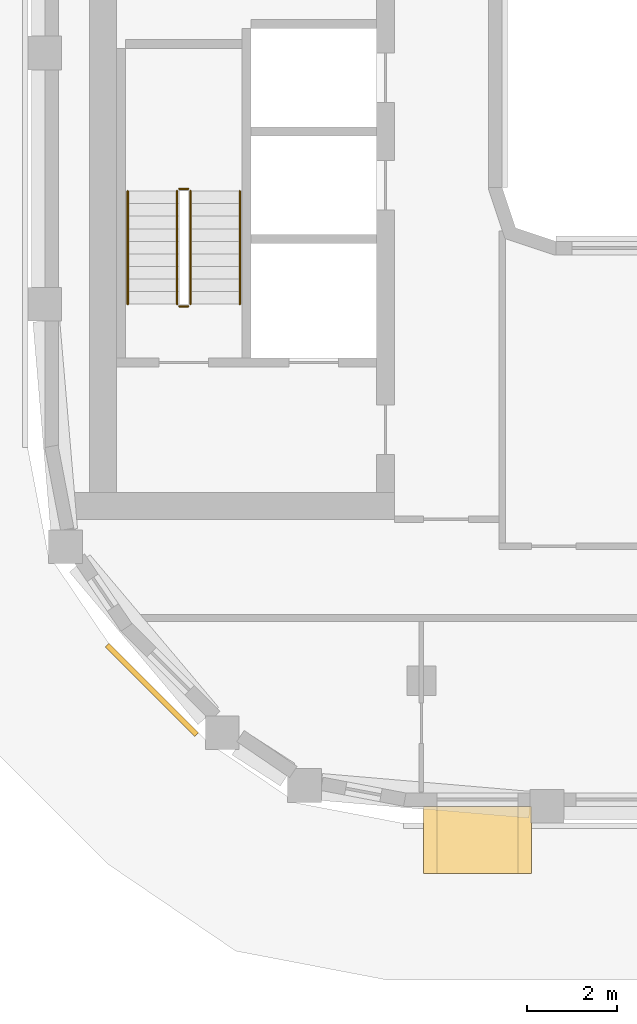
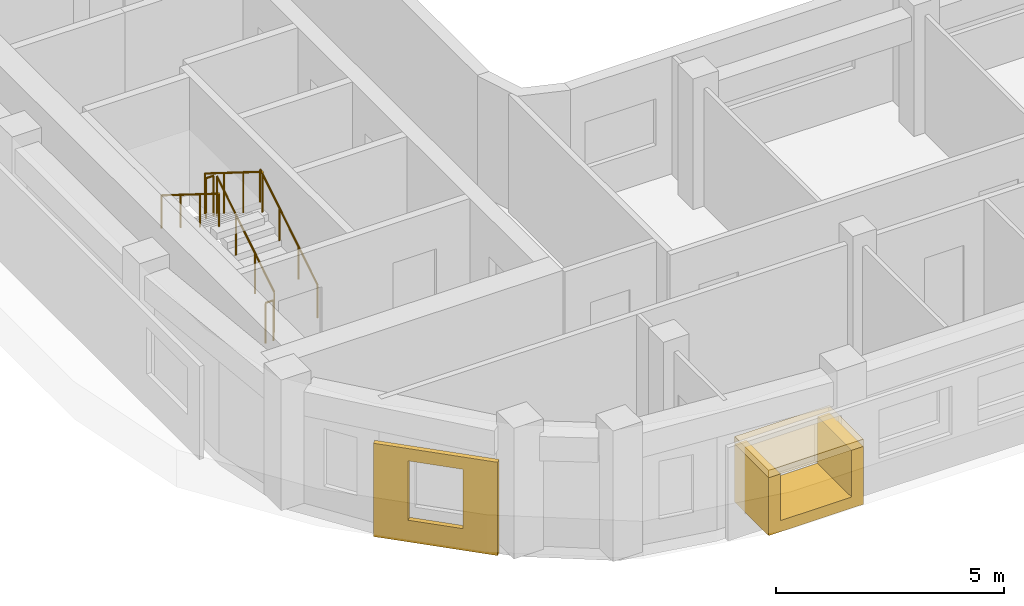
# One storey, part 9 of 14: 6 railings, 3 coverings.
"""IFC4 building model written with IfcOpenShell, lengths in metres."""

from ifc_helpers import new_model, si_unit, direction, frame, origin, origin_2d, place, context, subcontext, project, spatial, polyline, rectangle, circle, outline, extrude, material, layer, layer_set, type_object, element, save


model = new_model("IFC4")

# Units and contexts
model_context = context("Model", 3, precision=1e-05, world=origin(), true_north=direction((0.0, 1.0)))
body_context = subcontext(model_context, "Body", "Model", "MODEL_VIEW")
ifc_project = project(units=[si_unit("LENGTHUNIT", "METRE"), si_unit("AREAUNIT", "SQUARE_METRE"), si_unit("VOLUMEUNIT", "CUBIC_METRE"), si_unit("PLANEANGLEUNIT", "RADIAN"), si_unit("MASSUNIT", "GRAM", prefix="KILO")], contexts=[model_context])

# Site, building, storey
site_placement = place(None, origin())
site = spatial("IfcSite", under=ifc_project, at=site_placement, CompositionType="ELEMENT")
building_placement = place(site_placement, origin())
building = spatial("IfcBuilding", under=site, at=building_placement, Name="Kiln Ring Residences", CompositionType="ELEMENT")
storey_placement = place(building_placement, frame((0.0, 0.0, 280.199951171875)))
storey = spatial("IfcBuildingStorey", under=building, at=storey_placement, Name="L73", CompositionType="ELEMENT", Elevation=280.199951171875)

# Railings
ifc_material_1 = material(Name="Stainless steel", Category="steel")
railing_type_1 = type_object("IfcRailingType", Name="CORE-STAIR-GUARD", PredefinedType="GUARDRAIL", material=ifc_material_1)
railing_1_placement = place(storey_placement, frame((-21.949951171875, -8.39990234375, 0.175048828125)))
element("IfcRailing", 1, at=railing_1_placement, inside=storey, type_object=railing_type_1, Name="L73 W-STS stair guard 1", PredefinedType="GUARDRAIL", context=body_context, shape_type="SweptSolid", body=[
    extrude(circle(Radius=0.02392578125, at=origin_2d()), frame((0.0, 0.0, 1.076171875), z_axis=(0.0, 0.848007534815, 0.529984170421), x_axis=(-1.0, 0.0, 0.0)), (0.0, 0.0, 1.0), 2.9716796875),
    extrude(circle(Radius=0.02099609375, at=origin_2d()), origin(), (0.0, 0.0, 1.0), 1.052001953125),
    extrude(circle(Radius=0.02099609375, at=origin_2d()), frame((0.0, 0.840087890625, 0.52490234375)), (0.0, 0.0, 1.0), 1.052001953125),
    extrude(circle(Radius=0.02099609375, at=origin_2d()), frame((0.0, 1.679931640625, 1.050048828125)), (0.0, 0.0, 1.0), 1.052001953125),
    extrude(circle(Radius=0.02099609375, at=origin_2d()), frame((0.0, 2.52001953125, 1.574951171875)), (0.0, 0.0, 1.0), 1.052001953125),
])
railing_2_placement = place(storey_placement, frame((-22.0, -5.830078125, 1.75)))
element("IfcRailing", 2, at=railing_2_placement, inside=storey, type_object=railing_type_1, Name="L73 W-STS stair guard 2", PredefinedType="GUARDRAIL", context=body_context, shape_type="SweptSolid", body=[
    extrude(circle(Radius=0.02392578125, at=origin_2d()), frame((0.0, 0.0, 1.076171875), z_axis=(-1.0, 0.0, 0.0), x_axis=(0.0, -1.0, 0.0)), (0.0, 0.0, 1.0), 0.199951171875),
    extrude(circle(Radius=0.02099609375, at=origin_2d()), origin(), (0.0, 0.0, 1.0), 1.052001953125),
    extrude(circle(Radius=0.02099609375, at=origin_2d()), frame((-0.199951171875, 0.0, 0.0)), (0.0, 0.0, 1.0), 1.052001953125),
])
railing_3_placement = place(storey_placement, frame((-22.25, -5.8798828125, 1.925048828125)))
element("IfcRailing", 3, at=railing_3_placement, inside=storey, type_object=railing_type_1, Name="L73 W-STS stair guard 3", PredefinedType="GUARDRAIL", context=body_context, shape_type="SweptSolid", body=[
    extrude(circle(Radius=0.02392578125, at=origin_2d()), frame((0.0, 0.0, 1.076171875), z_axis=(0.0, -0.848007534815, 0.529984170421), x_axis=(1.0, 0.0, 0.0)), (0.0, 0.0, 1.0), 2.9716796875),
    extrude(circle(Radius=0.02099609375, at=origin_2d()), origin(), (0.0, 0.0, 1.0), 1.052001953125),
    extrude(circle(Radius=0.02099609375, at=origin_2d()), frame((0.0, -0.840087890625, 0.52490234375)), (0.0, 0.0, 1.0), 1.052001953125),
    extrude(circle(Radius=0.02099609375, at=origin_2d()), frame((0.0, -1.679931640625, 1.050048828125)), (0.0, 0.0, 1.0), 1.052001953125),
    extrude(circle(Radius=0.02099609375, at=origin_2d()), frame((0.0, -2.52001953125, 1.574951171875)), (0.0, 0.0, 1.0), 1.052001953125),
])
railing_4_placement = place(storey_placement, frame((-22.0, -8.449951171875, 0.0)))
element("IfcRailing", 4, at=railing_4_placement, inside=storey, type_object=railing_type_1, Name="L73 W-STS stair guard 4", PredefinedType="GUARDRAIL", context=body_context, shape_type="SweptSolid", body=[
    extrude(circle(Radius=0.02392578125, at=origin_2d()), frame((0.0, 0.0, 1.076171875), z_axis=(-1.0, 0.0, 0.0), x_axis=(0.0, -1.0, 0.0)), (0.0, 0.0, 1.0), 0.199951171875),
    extrude(circle(Radius=0.02099609375, at=origin_2d()), origin(), (0.0, 0.0, 1.0), 1.052001953125),
    extrude(circle(Radius=0.02099609375, at=origin_2d()), frame((-0.199951171875, 0.0, 0.0)), (0.0, 0.0, 1.0), 1.052001953125),
])
ifc_material_2 = material(Name="Stainless steel", Category="steel")
railing_type_2 = type_object("IfcRailingType", Name="CORE-STAIR-HANDRAIL", PredefinedType="HANDRAIL", material=ifc_material_2)
railing_5_placement = place(storey_placement, frame((-20.85009765625, -8.39990234375, 0.175048828125)))
element("IfcRailing", 5, at=railing_5_placement, inside=storey, type_object=railing_type_2, Name="L73 W-STS stair handrail 1", PredefinedType="HANDRAIL", context=body_context, shape_type="SweptSolid", body=[
    extrude(circle(Radius=0.02392578125, at=origin_2d()), frame((0.0, 0.0, 0.8759765625), z_axis=(0.0, 0.848007534815, 0.529984170421), x_axis=(-1.0, 0.0, 0.0)), (0.0, 0.0, 1.0), 2.9716796875),
    extrude(circle(Radius=0.02099609375, at=origin_2d()), origin(), (0.0, 0.0, 1.0), 0.851806640625),
    extrude(circle(Radius=0.02099609375, at=origin_2d()), frame((0.0, 0.840087890625, 0.52490234375)), (0.0, 0.0, 1.0), 0.851806640625),
    extrude(circle(Radius=0.02099609375, at=origin_2d()), frame((0.0, 1.679931640625, 1.050048828125)), (0.0, 0.0, 1.0), 0.851806640625),
    extrude(circle(Radius=0.02099609375, at=origin_2d()), frame((0.0, 2.52001953125, 1.574951171875)), (0.0, 0.0, 1.0), 0.851806640625),
])
railing_6_placement = place(storey_placement, frame((-23.35009765625, -5.8798828125, 1.925048828125)))
element("IfcRailing", 6, at=railing_6_placement, inside=storey, type_object=railing_type_2, Name="L73 W-STS stair handrail 2", PredefinedType="HANDRAIL", context=body_context, shape_type="SweptSolid", body=[
    extrude(circle(Radius=0.02392578125, at=origin_2d()), frame((0.0, 0.0, 0.8759765625), z_axis=(0.0, -0.848007534815, 0.529984170421), x_axis=(1.0, 0.0, 0.0)), (0.0, 0.0, 1.0), 2.9716796875),
    extrude(circle(Radius=0.02099609375, at=origin_2d()), origin(), (0.0, 0.0, 1.0), 0.851806640625),
    extrude(circle(Radius=0.02099609375, at=origin_2d()), frame((0.0, -0.840087890625, 0.52490234375)), (0.0, 0.0, 1.0), 0.851806640625),
    extrude(circle(Radius=0.02099609375, at=origin_2d()), frame((0.0, -1.679931640625, 1.050048828125)), (0.0, 0.0, 1.0), 0.851806640625),
    extrude(circle(Radius=0.02099609375, at=origin_2d()), frame((0.0, -2.52001953125, 1.574951171875)), (0.0, 0.0, 1.0), 0.851806640625),
])

# Coverings
ifc_material_3 = material(Name="Brick masonry, dark clay brick", Category="masonry")
ifc_layer_1 = layer(ifc_material_3, 0.300048828125)
ifc_layer_set_1 = layer_set([ifc_layer_1], Name="FRAME CHEEKS AND SILL 1500")
covering_type_1 = type_object("IfcCoveringType", Name="FRAME CHEEKS AND SILL 1500", PredefinedType="CLADDING", material=ifc_layer_set_1)
covering_1_placement = place(storey_placement, frame((-16.75, -20.35009765625, 0.60009765625), z_axis=(0.0, 0.0, 1.0), x_axis=(1.0, 0.0, 0.0)))
element("IfcCovering", 7, at=covering_1_placement, inside=storey, type_object=covering_type_1, Name="FRAME L73", PredefinedType="CLADDING", context=body_context, shape_type="SweptSolid", body=[
    extrude(outline(polyline([(0.0, 0.0), (2.39990234375, 0.0), (2.39990234375, 1.550048828125), (2.10107421875, 1.550048828125), (2.10009765625, 0.300048828125), (0.300048828125, 0.300048828125), (0.299072265625, 1.550048828125), (0.0, 1.550048828125), (0.0, 0.0)])), frame((0.0, 0.75, 0.0), z_axis=(0.0, -1.0, 0.0), x_axis=(1.0, 0.0, 0.0)), (0.0, 0.0, 1.0), 1.5),
])
ifc_material_4 = material(Name="Brick masonry, dark clay brick", Category="masonry")
ifc_layer_2 = layer(ifc_material_4, 0.199951171875)
ifc_layer_set_2 = layer_set([ifc_layer_2], Name="FRAME HEAD 1500")
covering_type_2 = type_object("IfcCoveringType", Name="FRAME HEAD 1500", PredefinedType="CLADDING", material=ifc_layer_set_2)
covering_2_placement = place(storey_placement, frame((-15.550048828125, -20.35009765625, 2.14990234375), z_axis=(0.0, 0.0, 1.0), x_axis=(1.0, 0.0, 0.0)))
element("IfcCovering", 8, at=covering_2_placement, inside=storey, type_object=covering_type_2, Name="FRAME HEAD L73", PredefinedType="CLADDING", context=body_context, shape_type="SweptSolid", body=[
    extrude(rectangle(XDim=2.39990234375, YDim=1.5, at=origin_2d()), origin(), (0.0, 0.0, 1.0), 0.199951171875),
])
ifc_material_5 = material(Name="Brick masonry, dark clay brick", Category="masonry")
ifc_layer_3 = layer(ifc_material_5, 0.1201171875)
ifc_layer_set_3 = layer_set([ifc_layer_3], Name="RAINSCREEN PANEL 120")
covering_type_3 = type_object("IfcCoveringType", Name="RAINSCREEN PANEL 120", PredefinedType="CLADDING", material=ifc_layer_set_3)
covering_3_placement = place(storey_placement, frame((-23.810546875, -16.004638671875, 0.0), z_axis=(0.0, 0.0, 1.0), x_axis=(0.707106781187, -0.707106781187, 0.0)))
element("IfcCovering", 9, at=covering_3_placement, inside=storey, type_object=covering_type_3, Name="RAINSCREEN L73", PredefinedType="CLADDING", context=body_context, shape_type="SweptSolid", body=[
    extrude(outline(polyline([(0.0, 0.0), (2.824951171875, 0.0), (2.824951171875, 2.5), (0.0, 2.5), (0.0, 0.0)]), holes=[polyline([(0.79248046875, 2.170166015625), (0.79248046875, 0.580078125), (2.032470703125, 0.580078125), (2.032470703125, 2.170166015625), (0.79248046875, 2.170166015625)])]), frame((0.0, 0.06005859375, 0.0), z_axis=(0.0, -1.0, 0.0), x_axis=(1.0, 0.0, 0.0)), (0.0, 0.0, 1.0), 0.1201171875),
])

save(model, "model.ifc")
